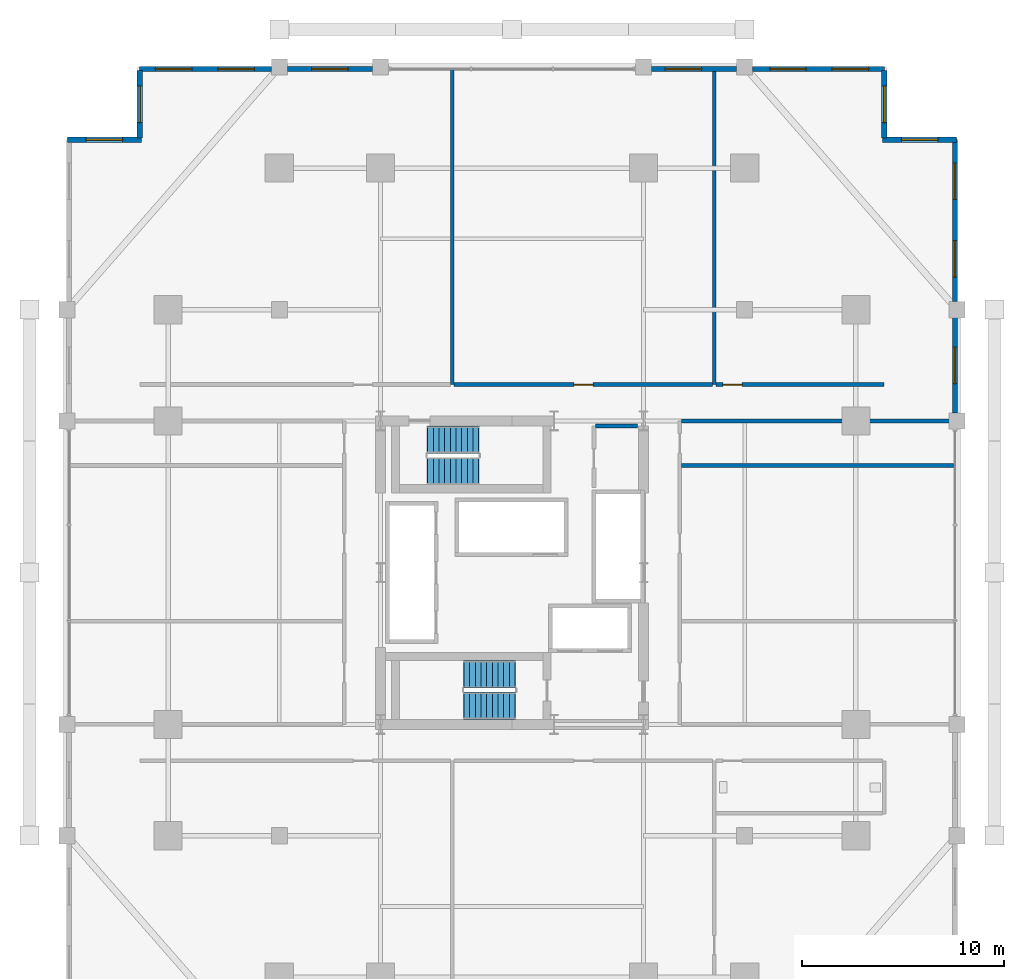
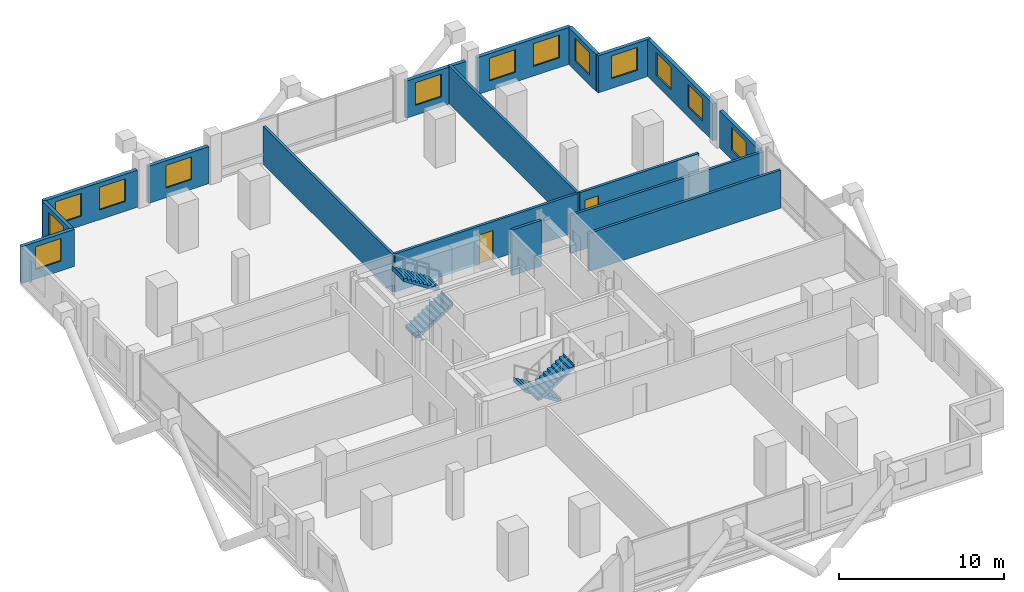
# One storey, part 19 of 21: 17 walls, 13 windows, 4 stair flights, 2 doors, 15 openings, 2 elements without a shape of their own.
"""IFC4 building model written with IfcOpenShell, lengths in metres."""

from ifc_helpers import new_model, si_unit, direction, frame, frame_2d, origin, place, context, subcontext, project, spatial, polyline, rectangle, outline, extrude, material, layer, layer_set, type_object, element, fill, aggregate, save


model = new_model("IFC4")

# Units and contexts
model_context = context("Model", 3, precision=1e-05, world=origin(), true_north=direction((0.0, 1.0)))
body_context = subcontext(model_context, "Body", "Model", "MODEL_VIEW")
ifc_project = project(units=[si_unit("LENGTHUNIT", "METRE"), si_unit("AREAUNIT", "SQUARE_METRE"), si_unit("VOLUMEUNIT", "CUBIC_METRE"), si_unit("PLANEANGLEUNIT", "RADIAN"), si_unit("MASSUNIT", "GRAM", prefix="KILO")], contexts=[model_context])

# Site, building, storey
site_placement = place(None, origin())
site = spatial("IfcSite", under=ifc_project, at=site_placement, CompositionType="ELEMENT")
building_placement = place(site_placement, origin())
building = spatial("IfcBuilding", under=site, at=building_placement, Name="Barlavira Tower and Art Museum", CompositionType="ELEMENT")
storey_placement = place(building_placement, frame((0.0, 0.0, 79.199951171875)))
storey = spatial("IfcBuildingStorey", under=building, at=storey_placement, Name="L19", CompositionType="ELEMENT", Elevation=79.199951171875)

# Walls
ifc_material_1 = material(Name="Autoclaved aerated concrete masonry", Category="masonry")
ifc_layer_1 = layer(ifc_material_1, 0.199951171875, Name="Autoclaved aerated concrete masonry")
ifc_layer_set_1 = layer_set([ifc_layer_1], Name="Autoclaved aerated concrete masonry")
wall_type_1 = type_object("IfcWallType", Name="Fire Compartment and Shaft Wall 200", PredefinedType="SOLIDWALL", material=ifc_layer_set_1)
wall_1_placement = place(storey_placement, frame((4.1298828125, 7.25, 0.0), z_axis=(0.0, 0.0, 1.0), x_axis=(1.0, 0.0, 0.0)))
element("IfcWall", 1, at=wall_1_placement, inside=storey, type_object=wall_type_1, Name="L19 Partition Wall 19", PredefinedType="SOLIDWALL", context=body_context, shape_type="SweptSolid", body=[
    extrude(rectangle(XDim=2.070068359375, YDim=0.199951171875, at=frame_2d((1.03515625, 0.0))), origin(), (0.0, 0.0, 1.0), 3.380126953125),
])
ifc_material_2 = material(Name="Gypsum acoustic stud partition", Category="gypsum")
ifc_layer_2 = layer(ifc_material_2, 0.179931640625, Name="Gypsum acoustic stud partition")
ifc_layer_set_2 = layer_set([ifc_layer_2], Name="Gypsum acoustic stud partition")
wall_type_2 = type_object("IfcWallType", Name="Inter-Tenancy Party Partition Wall 180", PredefinedType="PARTITIONING", material=ifc_layer_set_2)
for number, where, z_axis, x_axis, name in (
    (2, (-2.949951171875, 9.300048828125, 0.0), (0.0, 0.0, 1.0), (0.0, 1.0, 0.0), "L19 Partition Wall 3"),
    (3, (10.0, 9.300048828125, 0.0), (0.0, 0.0, 1.0), (0.0, 1.0, 0.0), "L19 Partition Wall 7"),
):
    element("IfcWall", number, at=place(storey_placement, frame(where, z_axis=z_axis, x_axis=x_axis)), inside=storey, type_object=wall_type_2, Name=name, PredefinedType="PARTITIONING", context=body_context, shape_type="SweptSolid", body=[
        extrude(rectangle(XDim=15.599853515625, YDim=0.179931640625, at=frame_2d((7.7998046875, 0.0))), origin(), (0.0, 0.0, 1.0), 2.816162109375),
    ])
wall_2_placement = place(storey_placement, frame((8.3798828125, 5.300048828125, 0.0), z_axis=(0.0, 0.0, 1.0), x_axis=(1.0, 0.0, 0.0)))
element("IfcWall", 4, at=wall_2_placement, inside=storey, type_object=wall_type_2, Name="L19 Partition Wall 18", PredefinedType="PARTITIONING", context=body_context, shape_type="SweptSolid", body=[
    extrude(rectangle(XDim=13.440185546875, YDim=0.179931640625, at=frame_2d((6.72021484375, 0.0))), origin(), (0.0, 0.0, 1.0), 2.816162109375),
])
wall_3_placement = place(storey_placement, frame((8.3798828125, 7.5, 0.0), z_axis=(0.0, 0.0, 1.0), x_axis=(1.0, 0.0, 0.0)))
element("IfcWall", 5, at=wall_3_placement, inside=storey, type_object=wall_type_2, Name="L19 Partition Wall 21", PredefinedType="PARTITIONING", context=body_context, shape_type="SweptSolid", body=[
    extrude(rectangle(XDim=13.52001953125, YDim=0.179931640625, at=frame_2d((6.760009765625, 0.0))), origin(), (0.0, 0.0, 1.0), 2.816162109375),
])

# Wall, opening, door
wall_4_placement = place(storey_placement, frame((-2.8701171875, 9.300048828125, 0.0), z_axis=(0.0, 0.0, 1.0), x_axis=(1.0, 0.0, 0.0)))
wall_4 = element("IfcWall", 6, at=wall_4_placement, inside=storey, type_object=wall_type_2, Name="L19 Partition Wall 23", PredefinedType="PARTITIONING", context=body_context, shape_type="SweptSolid", body=[
    extrude(rectangle(XDim=12.7900390625, YDim=0.179931640625, at=frame_2d((6.39501953125, 0.0))), origin(), (0.0, 0.0, 1.0), 2.816162109375),
])
opening_1_placement = place(wall_4_placement, frame((5.925048828125, 0.0, 0.0)))
opening_1 = element("IfcOpeningElement", 7, at=opening_1_placement, cuts=wall_4, Name="Opening FD-60", PredefinedType="OPENING", context=body_context, shape_type="SweptSolid", body=[
    extrude(rectangle(XDim=0.949951171875, YDim=2.14990234375, at=frame_2d((0.47509765625, 1.074951171875))), frame((0.0, 0.10009765625, 0.0), z_axis=(0.0, -1.0, 0.0), x_axis=(1.0, 0.0, 0.0)), (0.0, 0.0, 1.0), 0.199951171875),
])
ifc_material_3 = material(Name="Brushed stainless steel", Category="steel")
door_type = type_object("IfcDoorType", Name="Apartment Entrance and Riser Fire Door 950x2150 FD60S", OperationType="NOTDEFINED", PredefinedType="DOOR", material=ifc_material_3)
door_1_placement = place(opening_1_placement, origin())
door_1 = element("IfcDoor", 8, at=door_1_placement, inside=storey, type_object=door_type, Name="Private Coastal Dining Salon Door", OperationType="SINGLE_SWING_RIGHT", OverallHeight=2.14990234375, OverallWidth=0.949951171875, PredefinedType="DOOR", context=body_context, shape_type="SweptSolid", body=[
    extrude(rectangle(XDim=0.949951171875, YDim=2.14990234375, at=frame_2d((0.47509765625, 1.074951171875))), frame((0.0, 0.02490234375, 0.0), z_axis=(0.0, -1.0, 0.0), x_axis=(1.0, 0.0, 0.0)), (0.0, 0.0, 1.0), 0.050048828125),
])
fill(opening_1, door_1)

wall_5_placement = place(storey_placement, frame((10.080078125, 9.300048828125, 0.0), z_axis=(0.0, 0.0, 1.0), x_axis=(1.0, 0.0, 0.0)))
wall_5 = element("IfcWall", 9, at=wall_5_placement, inside=storey, type_object=wall_type_2, Name="L19 Partition Wall 24", PredefinedType="PARTITIONING", context=body_context, shape_type="SweptSolid", body=[
    extrude(rectangle(XDim=8.31982421875, YDim=0.179931640625, at=frame_2d((4.159912109375, 0.0))), origin(), (0.0, 0.0, 1.0), 2.816162109375),
])
opening_2_placement = place(wall_5_placement, frame((0.344970703125, 0.0, 0.0)))
opening_2 = element("IfcOpeningElement", 10, at=opening_2_placement, cuts=wall_5, Name="Opening FD-60", PredefinedType="OPENING", context=body_context, shape_type="SweptSolid", body=[
    extrude(rectangle(XDim=0.949951171875, YDim=2.14990234375, at=frame_2d((0.47509765625, 1.074951171875))), frame((0.0, 0.10009765625, 0.0), z_axis=(0.0, -1.0, 0.0), x_axis=(1.0, 0.0, 0.0)), (0.0, 0.0, 1.0), 0.199951171875),
])
door_2_placement = place(opening_2_placement, origin())
door_2 = element("IfcDoor", 11, at=door_2_placement, inside=storey, type_object=door_type, Name="Shared Catering Kitchen Door", OperationType="SINGLE_SWING_LEFT", OverallHeight=2.14990234375, OverallWidth=0.949951171875, PredefinedType="DOOR", context=body_context, shape_type="SweptSolid", body=[
    extrude(rectangle(XDim=0.949951171875, YDim=2.14990234375, at=frame_2d((0.47509765625, 1.074951171875))), frame((0.0, 0.02490234375, 0.0), z_axis=(0.0, -1.0, 0.0), x_axis=(1.0, 0.0, 0.0)), (0.0, 0.0, 1.0), 0.050048828125),
])
fill(opening_2, door_2)

# Wall, openings, windows
ifc_material_4 = material(Name="Precast concrete C40", Category="concrete")
ifc_layer_3 = layer(ifc_material_4, 0.25, Name="Precast concrete C40")
ifc_layer_set_3 = layer_set([ifc_layer_3], Name="Precast concrete C40")
wall_type_3 = type_object("IfcWallType", Name="Notched Corner Spandrel Wall 250 Precast Concrete C40", PredefinedType="SOLIDWALL", material=ifc_layer_set_3)
wall_6_placement = place(storey_placement, frame((18.425048828125, 24.89990234375, 0.0), z_axis=(0.0, 0.0, 1.0), x_axis=(-1.0, 0.0, 0.0)))
wall_6 = element("IfcWall", 12, at=wall_6_placement, inside=storey, type_object=wall_type_3, Name="L19 Coastal Facade Pier Wall CW1-L19-N-1", PredefinedType="SOLIDWALL", context=body_context, shape_type="SweptSolid", body=[
    extrude(rectangle(XDim=6.530029296875, YDim=0.25, at=frame_2d((3.26513671875, 0.0))), origin(), (0.0, 0.0, 1.0), 2.736083984375),
])
opening_3_placement = place(wall_6_placement, frame((0.801025390625, 0.0, 0.719970703125)))
opening_3 = element("IfcOpeningElement", 13, at=opening_3_placement, cuts=wall_6, Name="Opening WN-01", PredefinedType="OPENING", context=body_context, shape_type="SweptSolid", body=[
    extrude(rectangle(XDim=1.800048828125, YDim=1.679931640625, at=frame_2d((0.89990234375, 0.83984375))), frame((0.0, 0.135009765625, 0.0), z_axis=(0.0, -1.0, 0.0), x_axis=(1.0, 0.0, 0.0)), (0.0, 0.0, 1.0), 0.27001953125),
])
opening_4_placement = place(wall_6_placement, frame((3.884033203125, 0.0, 0.719970703125)))
opening_4 = element("IfcOpeningElement", 14, at=opening_4_placement, cuts=wall_6, Name="Opening WN-01", PredefinedType="OPENING", context=body_context, shape_type="SweptSolid", body=[
    extrude(rectangle(XDim=1.800048828125, YDim=1.679931640625, at=frame_2d((0.89990234375, 0.83984375))), frame((0.0, 0.135009765625, 0.0), z_axis=(0.0, -1.0, 0.0), x_axis=(1.0, 0.0, 0.0)), (0.0, 0.0, 1.0), 0.27001953125),
])
ifc_material_5 = material(Name="Low-iron coastal laminated glass", Category="glass")
window_type = type_object("IfcWindowType", Name="Recessed Notch Corner Punch Window 1800x1680", PartitioningType="SINGLE_PANEL", PredefinedType="WINDOW", material=ifc_material_5)
window_1_placement = place(opening_3_placement, origin())
window_1 = element("IfcWindow", 15, at=window_1_placement, inside=storey, type_object=window_type, Name="L19 Punched Facade Window EWP-CW1-L19-N-1-1", OverallHeight=1.679931640625, OverallWidth=1.800048828125, PartitioningType="SINGLE_PANEL", PredefinedType="WINDOW", context=body_context, shape_type="SweptSolid", body=[
    extrude(rectangle(XDim=1.800048828125, YDim=1.679931640625, at=frame_2d((0.89990234375, 0.83984375))), frame((0.0, 0.030029296875, 0.0), z_axis=(0.0, -1.0, 0.0), x_axis=(1.0, 0.0, 0.0)), (0.0, 0.0, 1.0), 0.06005859375),
])
fill(opening_3, window_1)
window_2_placement = place(opening_4_placement, origin())
window_2 = element("IfcWindow", 16, at=window_2_placement, inside=storey, type_object=window_type, Name="L19 Punched Facade Window EWP-CW1-L19-N-1-2", OverallHeight=1.679931640625, OverallWidth=1.800048828125, PartitioningType="SINGLE_PANEL", PredefinedType="WINDOW", context=body_context, shape_type="SweptSolid", body=[
    extrude(rectangle(XDim=1.800048828125, YDim=1.679931640625, at=frame_2d((0.89990234375, 0.83984375))), frame((0.0, 0.030029296875, 0.0), z_axis=(0.0, -1.0, 0.0), x_axis=(1.0, 0.0, 0.0)), (0.0, 0.0, 1.0), 0.06005859375),
])
fill(opening_4, window_2)

# Wall, opening, window
wall_7_placement = place(storey_placement, frame((11.10498046875, 24.89990234375, 0.0), z_axis=(0.0, 0.0, 1.0), x_axis=(-1.0, 0.0, 0.0)))
wall_7 = element("IfcWall", 17, at=wall_7_placement, inside=storey, type_object=wall_type_3, Name="L19 Coastal Facade Pier Wall CW1-L19-N-2", PredefinedType="SOLIDWALL", context=body_context, shape_type="SweptSolid", body=[
    extrude(rectangle(XDim=4.2099609375, YDim=0.25, at=frame_2d((2.10498046875, 0.0))), origin(), (0.0, 0.0, 1.0), 2.736083984375),
])
opening_5_placement = place(wall_7_placement, frame((1.735107421875, 0.0, 0.719970703125)))
opening_5 = element("IfcOpeningElement", 18, at=opening_5_placement, cuts=wall_7, Name="Opening WN-01", PredefinedType="OPENING", context=body_context, shape_type="SweptSolid", body=[
    extrude(rectangle(XDim=1.800048828125, YDim=1.679931640625, at=frame_2d((0.89990234375, 0.83984375))), frame((0.0, 0.135009765625, 0.0), z_axis=(0.0, -1.0, 0.0), x_axis=(1.0, 0.0, 0.0)), (0.0, 0.0, 1.0), 0.27001953125),
])
window_3_placement = place(opening_5_placement, origin())
window_3 = element("IfcWindow", 19, at=window_3_placement, inside=storey, type_object=window_type, Name="L19 Punched Facade Window EWP-CW1-L19-N-2-1", OverallHeight=1.679931640625, OverallWidth=1.800048828125, PartitioningType="SINGLE_PANEL", PredefinedType="WINDOW", context=body_context, shape_type="SweptSolid", body=[
    extrude(rectangle(XDim=1.800048828125, YDim=1.679931640625, at=frame_2d((0.89990234375, 0.83984375))), frame((0.0, 0.030029296875, 0.0), z_axis=(0.0, -1.0, 0.0), x_axis=(1.0, 0.0, 0.0)), (0.0, 0.0, 1.0), 0.06005859375),
])
fill(opening_5, window_3)

wall_8_placement = place(storey_placement, frame((-6.89501953125, 24.89990234375, 0.0), z_axis=(0.0, 0.0, 1.0), x_axis=(-1.0, 0.0, 0.0)))
wall_8 = element("IfcWall", 20, at=wall_8_placement, inside=storey, type_object=wall_type_3, Name="L19 Coastal Facade Pier Wall CW1-L19-N-4", PredefinedType="SOLIDWALL", context=body_context, shape_type="SweptSolid", body=[
    extrude(rectangle(XDim=4.2099609375, YDim=0.25, at=frame_2d((2.10498046875, 0.0))), origin(), (0.0, 0.0, 1.0), 2.736083984375),
])
opening_6_placement = place(wall_8_placement, frame((1.205078125, 0.0, 0.719970703125)))
opening_6 = element("IfcOpeningElement", 21, at=opening_6_placement, cuts=wall_8, Name="Opening WN-01", PredefinedType="OPENING", context=body_context, shape_type="SweptSolid", body=[
    extrude(rectangle(XDim=1.800048828125, YDim=1.679931640625, at=frame_2d((0.89990234375, 0.83984375))), frame((0.0, 0.135009765625, 0.0), z_axis=(0.0, -1.0, 0.0), x_axis=(1.0, 0.0, 0.0)), (0.0, 0.0, 1.0), 0.27001953125),
])
window_4_placement = place(opening_6_placement, origin())
window_4 = element("IfcWindow", 22, at=window_4_placement, inside=storey, type_object=window_type, Name="L19 Punched Facade Window EWP-CW1-L19-N-4-1", OverallHeight=1.679931640625, OverallWidth=1.800048828125, PartitioningType="SINGLE_PANEL", PredefinedType="WINDOW", context=body_context, shape_type="SweptSolid", body=[
    extrude(rectangle(XDim=1.800048828125, YDim=1.679931640625, at=frame_2d((0.89990234375, 0.83984375))), frame((0.0, 0.030029296875, 0.0), z_axis=(0.0, -1.0, 0.0), x_axis=(1.0, 0.0, 0.0)), (0.0, 0.0, 1.0), 0.06005859375),
])
fill(opening_6, window_4)

# Wall, openings, windows
wall_9_placement = place(storey_placement, frame((-11.89501953125, 24.89990234375, 0.0), z_axis=(0.0, 0.0, 1.0), x_axis=(-1.0, 0.0, 0.0)))
wall_9 = element("IfcWall", 23, at=wall_9_placement, inside=storey, type_object=wall_type_3, Name="L19 Coastal Facade Pier Wall CW1-L19-N-5", PredefinedType="SOLIDWALL", context=body_context, shape_type="SweptSolid", body=[
    extrude(rectangle(XDim=6.530029296875, YDim=0.25, at=frame_2d((3.26513671875, 0.0))), origin(), (0.0, 0.0, 1.0), 2.736083984375),
])
opening_7_placement = place(wall_9_placement, frame((0.845947265625, 0.0, 0.719970703125)))
opening_7 = element("IfcOpeningElement", 24, at=opening_7_placement, cuts=wall_9, Name="Opening WN-01", PredefinedType="OPENING", context=body_context, shape_type="SweptSolid", body=[
    extrude(rectangle(XDim=1.800048828125, YDim=1.679931640625, at=frame_2d((0.89990234375, 0.83984375))), frame((0.0, 0.135009765625, 0.0), z_axis=(0.0, -1.0, 0.0), x_axis=(1.0, 0.0, 0.0)), (0.0, 0.0, 1.0), 0.27001953125),
])
opening_8_placement = place(wall_9_placement, frame((3.928955078125, 0.0, 0.719970703125)))
opening_8 = element("IfcOpeningElement", 25, at=opening_8_placement, cuts=wall_9, Name="Opening WN-01", PredefinedType="OPENING", context=body_context, shape_type="SweptSolid", body=[
    extrude(rectangle(XDim=1.800048828125, YDim=1.679931640625, at=frame_2d((0.89990234375, 0.83984375))), frame((0.0, 0.135009765625, 0.0), z_axis=(0.0, -1.0, 0.0), x_axis=(1.0, 0.0, 0.0)), (0.0, 0.0, 1.0), 0.27001953125),
])
window_5_placement = place(opening_7_placement, origin())
window_5 = element("IfcWindow", 26, at=window_5_placement, inside=storey, type_object=window_type, Name="L19 Punched Facade Window EWP-CW1-L19-N-5-1", OverallHeight=1.679931640625, OverallWidth=1.800048828125, PartitioningType="SINGLE_PANEL", PredefinedType="WINDOW", context=body_context, shape_type="SweptSolid", body=[
    extrude(rectangle(XDim=1.800048828125, YDim=1.679931640625, at=frame_2d((0.89990234375, 0.83984375))), frame((0.0, 0.030029296875, 0.0), z_axis=(0.0, -1.0, 0.0), x_axis=(1.0, 0.0, 0.0)), (0.0, 0.0, 1.0), 0.06005859375),
])
fill(opening_7, window_5)
window_6_placement = place(opening_8_placement, origin())
window_6 = element("IfcWindow", 27, at=window_6_placement, inside=storey, type_object=window_type, Name="L19 Punched Facade Window EWP-CW1-L19-N-5-2", OverallHeight=1.679931640625, OverallWidth=1.800048828125, PartitioningType="SINGLE_PANEL", PredefinedType="WINDOW", context=body_context, shape_type="SweptSolid", body=[
    extrude(rectangle(XDim=1.800048828125, YDim=1.679931640625, at=frame_2d((0.89990234375, 0.83984375))), frame((0.0, 0.030029296875, 0.0), z_axis=(0.0, -1.0, 0.0), x_axis=(1.0, 0.0, 0.0)), (0.0, 0.0, 1.0), 0.06005859375),
])
fill(opening_8, window_6)

# Wall, opening, window
wall_10_placement = place(storey_placement, frame((21.89990234375, 7.89501953125, 0.0), z_axis=(0.0, 0.0, 1.0), x_axis=(0.0, 1.0, 0.0)))
wall_10 = element("IfcWall", 28, at=wall_10_placement, inside=storey, type_object=wall_type_3, Name="L19 Coastal Facade Pier Wall CW1-L19-E-4", PredefinedType="SOLIDWALL", context=body_context, shape_type="SweptSolid", body=[
    extrude(rectangle(XDim=4.7099609375, YDim=0.25, at=frame_2d((2.35498046875, 0.0))), origin(), (0.0, 0.0, 1.0), 2.736083984375),
])
opening_9_placement = place(wall_10_placement, frame((1.455078125, 0.0, 0.719970703125)))
opening_9 = element("IfcOpeningElement", 29, at=opening_9_placement, cuts=wall_10, Name="Opening WN-01", PredefinedType="OPENING", context=body_context, shape_type="SweptSolid", body=[
    extrude(rectangle(XDim=1.800048828125, YDim=1.679931640625, at=frame_2d((0.89990234375, 0.83984375))), frame((0.0, 0.135009765625, 0.0), z_axis=(0.0, -1.0, 0.0), x_axis=(1.0, 0.0, 0.0)), (0.0, 0.0, 1.0), 0.27001953125),
])
window_7_placement = place(opening_9_placement, origin())
window_7 = element("IfcWindow", 30, at=window_7_placement, inside=storey, type_object=window_type, Name="L19 Punched Facade Window EWP-CW1-L19-E-4-1", OverallHeight=1.679931640625, OverallWidth=1.800048828125, PartitioningType="SINGLE_PANEL", PredefinedType="WINDOW", context=body_context, shape_type="SweptSolid", body=[
    extrude(rectangle(XDim=1.800048828125, YDim=1.679931640625, at=frame_2d((0.89990234375, 0.83984375))), frame((0.0, 0.030029296875, 0.0), z_axis=(0.0, -1.0, 0.0), x_axis=(1.0, 0.0, 0.0)), (0.0, 0.0, 1.0), 0.06005859375),
])
fill(opening_9, window_7)

# Wall, openings, windows
wall_11_placement = place(storey_placement, frame((21.89990234375, 13.39501953125, 0.0), z_axis=(0.0, 0.0, 1.0), x_axis=(0.0, 1.0, 0.0)))
wall_11 = element("IfcWall", 31, at=wall_11_placement, inside=storey, type_object=wall_type_3, Name="L19 Coastal Facade Pier Wall CW1-L19-E-5", PredefinedType="SOLIDWALL", context=body_context, shape_type="SweptSolid", body=[
    extrude(rectangle(XDim=8.030029296875, YDim=0.25, at=frame_2d((4.01513671875, 0.0))), origin(), (0.0, 0.0, 1.0), 2.736083984375),
])
opening_10_placement = place(wall_11_placement, frame((1.220947265625, 0.0, 0.719970703125)))
opening_10 = element("IfcOpeningElement", 32, at=opening_10_placement, cuts=wall_11, Name="Opening WN-01", PredefinedType="OPENING", context=body_context, shape_type="SweptSolid", body=[
    extrude(rectangle(XDim=1.800048828125, YDim=1.679931640625, at=frame_2d((0.89990234375, 0.83984375))), frame((0.0, 0.135009765625, 0.0), z_axis=(0.0, -1.0, 0.0), x_axis=(1.0, 0.0, 0.0)), (0.0, 0.0, 1.0), 0.27001953125),
])
opening_11_placement = place(wall_11_placement, frame((5.053955078125, 0.0, 0.719970703125)))
opening_11 = element("IfcOpeningElement", 33, at=opening_11_placement, cuts=wall_11, Name="Opening WN-01", PredefinedType="OPENING", context=body_context, shape_type="SweptSolid", body=[
    extrude(rectangle(XDim=1.800048828125, YDim=1.679931640625, at=frame_2d((0.89990234375, 0.83984375))), frame((0.0, 0.135009765625, 0.0), z_axis=(0.0, -1.0, 0.0), x_axis=(1.0, 0.0, 0.0)), (0.0, 0.0, 1.0), 0.27001953125),
])
window_8_placement = place(opening_10_placement, origin())
window_8 = element("IfcWindow", 34, at=window_8_placement, inside=storey, type_object=window_type, Name="L19 Punched Facade Window EWP-CW1-L19-E-5-1", OverallHeight=1.679931640625, OverallWidth=1.800048828125, PartitioningType="SINGLE_PANEL", PredefinedType="WINDOW", context=body_context, shape_type="SweptSolid", body=[
    extrude(rectangle(XDim=1.800048828125, YDim=1.679931640625, at=frame_2d((0.89990234375, 0.83984375))), frame((0.0, 0.030029296875, 0.0), z_axis=(0.0, -1.0, 0.0), x_axis=(1.0, 0.0, 0.0)), (0.0, 0.0, 1.0), 0.06005859375),
])
fill(opening_10, window_8)
window_9_placement = place(opening_11_placement, origin())
window_9 = element("IfcWindow", 35, at=window_9_placement, inside=storey, type_object=window_type, Name="L19 Punched Facade Window EWP-CW1-L19-E-5-2", OverallHeight=1.679931640625, OverallWidth=1.800048828125, PartitioningType="SINGLE_PANEL", PredefinedType="WINDOW", context=body_context, shape_type="SweptSolid", body=[
    extrude(rectangle(XDim=1.800048828125, YDim=1.679931640625, at=frame_2d((0.89990234375, 0.83984375))), frame((0.0, 0.030029296875, 0.0), z_axis=(0.0, -1.0, 0.0), x_axis=(1.0, 0.0, 0.0)), (0.0, 0.0, 1.0), 0.06005859375),
])
fill(opening_11, window_9)

# Wall, opening, window
wall_12_placement = place(storey_placement, frame((21.97998046875, 21.39990234375, 0.0), z_axis=(0.0, 0.0, 1.0), x_axis=(-1.0, 0.0, 0.0)))
wall_12 = element("IfcWall", 36, at=wall_12_placement, inside=storey, type_object=wall_type_3, Name="L19 Notch Corner Wall NE1", PredefinedType="SOLIDWALL", context=body_context, shape_type="SweptSolid", body=[
    extrude(rectangle(XDim=3.659912109375, YDim=0.25, at=frame_2d((1.830078125, 0.0))), origin(), (0.0, 0.0, 1.0), 2.736083984375),
])
opening_12_placement = place(wall_12_placement, frame((0.929931640625, 0.0, 0.719970703125)))
opening_12 = element("IfcOpeningElement", 37, at=opening_12_placement, cuts=wall_12, Name="Opening WN-01", PredefinedType="OPENING", context=body_context, shape_type="SweptSolid", body=[
    extrude(rectangle(XDim=1.800048828125, YDim=1.679931640625, at=frame_2d((0.89990234375, 0.83984375))), frame((0.0, 0.135009765625, 0.0), z_axis=(0.0, -1.0, 0.0), x_axis=(1.0, 0.0, 0.0)), (0.0, 0.0, 1.0), 0.27001953125),
])
window_10_placement = place(opening_12_placement, origin())
window_10 = element("IfcWindow", 38, at=window_10_placement, inside=storey, type_object=window_type, Name="L19 Punched Facade Window EW-NTC-L19-NE1-1", OverallHeight=1.679931640625, OverallWidth=1.800048828125, PartitioningType="SINGLE_PANEL", PredefinedType="WINDOW", context=body_context, shape_type="SweptSolid", body=[
    extrude(rectangle(XDim=1.800048828125, YDim=1.679931640625, at=frame_2d((0.89990234375, 0.83984375))), frame((0.0, 0.030029296875, 0.0), z_axis=(0.0, -1.0, 0.0), x_axis=(1.0, 0.0, 0.0)), (0.0, 0.0, 1.0), 0.06005859375),
])
fill(opening_12, window_10)

wall_13_placement = place(storey_placement, frame((18.39990234375, 21.47998046875, 0.0), z_axis=(0.0, 0.0, 1.0), x_axis=(0.0, 1.0, 0.0)))
wall_13 = element("IfcWall", 39, at=wall_13_placement, inside=storey, type_object=wall_type_3, Name="L19 Notch Corner Wall NE2", PredefinedType="SOLIDWALL", context=body_context, shape_type="SweptSolid", body=[
    extrude(rectangle(XDim=3.340087890625, YDim=0.25, at=frame_2d((1.669921875, 0.0))), origin(), (0.0, 0.0, 1.0), 2.736083984375),
])
opening_13_placement = place(wall_13_placement, frame((0.77001953125, 0.0, 0.719970703125)))
opening_13 = element("IfcOpeningElement", 40, at=opening_13_placement, cuts=wall_13, Name="Opening WN-01", PredefinedType="OPENING", context=body_context, shape_type="SweptSolid", body=[
    extrude(rectangle(XDim=1.800048828125, YDim=1.679931640625, at=frame_2d((0.89990234375, 0.83984375))), frame((0.0, 0.135009765625, 0.0), z_axis=(0.0, -1.0, 0.0), x_axis=(1.0, 0.0, 0.0)), (0.0, 0.0, 1.0), 0.27001953125),
])
window_11_placement = place(opening_13_placement, origin())
window_11 = element("IfcWindow", 41, at=window_11_placement, inside=storey, type_object=window_type, Name="L19 Punched Facade Window EW-NTC-L19-NE2-1", OverallHeight=1.679931640625, OverallWidth=1.800048828125, PartitioningType="SINGLE_PANEL", PredefinedType="WINDOW", context=body_context, shape_type="SweptSolid", body=[
    extrude(rectangle(XDim=1.800048828125, YDim=1.679931640625, at=frame_2d((0.89990234375, 0.83984375))), frame((0.0, 0.030029296875, 0.0), z_axis=(0.0, -1.0, 0.0), x_axis=(1.0, 0.0, 0.0)), (0.0, 0.0, 1.0), 0.06005859375),
])
fill(opening_13, window_11)

wall_14_placement = place(storey_placement, frame((-18.39990234375, 24.820068359375, 0.0), z_axis=(0.0, 0.0, 1.0), x_axis=(0.0, -1.0, 0.0)))
wall_14 = element("IfcWall", 42, at=wall_14_placement, inside=storey, type_object=wall_type_3, Name="L19 Notch Corner Wall NW1", PredefinedType="SOLIDWALL", context=body_context, shape_type="SweptSolid", body=[
    extrude(rectangle(XDim=3.340087890625, YDim=0.25, at=frame_2d((1.669921875, 0.0))), origin(), (0.0, 0.0, 1.0), 2.736083984375),
])
opening_14_placement = place(wall_14_placement, frame((0.77001953125, 0.0, 0.719970703125)))
opening_14 = element("IfcOpeningElement", 43, at=opening_14_placement, cuts=wall_14, Name="Opening WN-01", PredefinedType="OPENING", context=body_context, shape_type="SweptSolid", body=[
    extrude(rectangle(XDim=1.800048828125, YDim=1.679931640625, at=frame_2d((0.89990234375, 0.83984375))), frame((0.0, 0.135009765625, 0.0), z_axis=(0.0, -1.0, 0.0), x_axis=(1.0, 0.0, 0.0)), (0.0, 0.0, 1.0), 0.27001953125),
])
window_12_placement = place(opening_14_placement, origin())
window_12 = element("IfcWindow", 44, at=window_12_placement, inside=storey, type_object=window_type, Name="L19 Punched Facade Window EW-NTC-L19-NW1-1", OverallHeight=1.679931640625, OverallWidth=1.800048828125, PartitioningType="SINGLE_PANEL", PredefinedType="WINDOW", context=body_context, shape_type="SweptSolid", body=[
    extrude(rectangle(XDim=1.800048828125, YDim=1.679931640625, at=frame_2d((0.89990234375, 0.83984375))), frame((0.0, 0.030029296875, 0.0), z_axis=(0.0, -1.0, 0.0), x_axis=(1.0, 0.0, 0.0)), (0.0, 0.0, 1.0), 0.06005859375),
])
fill(opening_14, window_12)

wall_15_placement = place(storey_placement, frame((-18.320068359375, 21.39990234375, 0.0), z_axis=(0.0, 0.0, 1.0), x_axis=(-1.0, 0.0, 0.0)))
wall_15 = element("IfcWall", 45, at=wall_15_placement, inside=storey, type_object=wall_type_3, Name="L19 Notch Corner Wall NW2", PredefinedType="SOLIDWALL", context=body_context, shape_type="SweptSolid", body=[
    extrude(rectangle(XDim=3.659912109375, YDim=0.25, at=frame_2d((1.830078125, 0.0))), origin(), (0.0, 0.0, 1.0), 2.736083984375),
])
opening_15_placement = place(wall_15_placement, frame((0.929931640625, 0.0, 0.719970703125)))
opening_15 = element("IfcOpeningElement", 46, at=opening_15_placement, cuts=wall_15, Name="Opening WN-01", PredefinedType="OPENING", context=body_context, shape_type="SweptSolid", body=[
    extrude(rectangle(XDim=1.800048828125, YDim=1.679931640625, at=frame_2d((0.89990234375, 0.83984375))), frame((0.0, 0.135009765625, 0.0), z_axis=(0.0, -1.0, 0.0), x_axis=(1.0, 0.0, 0.0)), (0.0, 0.0, 1.0), 0.27001953125),
])
window_13_placement = place(opening_15_placement, origin())
window_13 = element("IfcWindow", 47, at=window_13_placement, inside=storey, type_object=window_type, Name="L19 Punched Facade Window EW-NTC-L19-NW2-1", OverallHeight=1.679931640625, OverallWidth=1.800048828125, PartitioningType="SINGLE_PANEL", PredefinedType="WINDOW", context=body_context, shape_type="SweptSolid", body=[
    extrude(rectangle(XDim=1.800048828125, YDim=1.679931640625, at=frame_2d((0.89990234375, 0.83984375))), frame((0.0, 0.030029296875, 0.0), z_axis=(0.0, -1.0, 0.0), x_axis=(1.0, 0.0, 0.0)), (0.0, 0.0, 1.0), 0.06005859375),
])
fill(opening_15, window_13)

# Stair, stair flights
ifc_material_6 = material(Name="Concrete C45", Category="concrete")
stair_type_1 = type_object("IfcStairType", Name="Tower North Dog-Leg Exit Stair Assembly Concrete C45", PredefinedType="TWO_QUARTER_TURN_STAIR", material=ifc_material_6)
stair_1_placement = place(storey_placement, origin())
stair_1 = element("IfcStair", 48, at=stair_1_placement, inside=storey, type_object=stair_type_1, Name="L19 Tower North Exit Stair ST-T2", PredefinedType="TWO_QUARTER_TURN_STAIR")
ifc_material_7 = material(Name="Precast concrete C45", Category="concrete")
stair_flight_type_1 = type_object("IfcStairFlightType", Name="Tower North Dog-Leg Exit Stair Precast Flight 1350 Concrete C45", PredefinedType="STRAIGHT", material=ifc_material_7)
stair_flight_1_placement = place(storey_placement, frame((-4.169921875, 5.02490234375, 0.0), z_axis=(0.0, 0.0, 1.0), x_axis=(1.0, 0.0, 0.0)))
stair_flight_1 = element("IfcStairFlight", 49, at=stair_flight_1_placement, type_object=stair_flight_type_1, Name="ST-T2 flight 1", NumberOfRisers=10, NumberOfTreads=9, PredefinedType="STRAIGHT", RiserHeight=0.18, TreadLength=0.28, context=body_context, shape_type="SweptSolid", body=[
    extrude(outline(polyline([(-0.02490234375, 0.0), (0.0, 0.0), (0.0, 0.179931640625), (0.280029296875, 0.179931640625), (0.280029296875, 0.360107421875), (0.56005859375, 0.360107421875), (0.56005859375, 0.5400390625), (0.840087890625, 0.5400390625), (0.840087890625, 0.719970703125), (1.1201171875, 0.719970703125), (1.1201171875, 0.89990234375), (1.39990234375, 0.89990234375), (1.39990234375, 1.080078125), (1.679931640625, 1.080078125), (1.679931640625, 1.260009765625), (1.9599609375, 1.260009765625), (1.9599609375, 1.43994140625), (2.239990234375, 1.43994140625), (2.239990234375, 1.6201171875), (2.52001953125, 1.6201171875), (2.52001953125, 1.800048828125), (2.544921875, 1.800048828125), (2.544921875, 1.44189453125), (2.52001953125, 1.44189453125), (0.277099609375, -0.02490234375), (-0.02490234375, -0.02490234375), (-0.02490234375, 0.0)])), frame((0.0, 0.675048828125, 0.0), z_axis=(0.0, -1.0, 0.0), x_axis=(1.0, 0.0, 0.0)), (0.0, 0.0, 1.0), 1.35009765625),
])
stair_flight_2_placement = place(storey_placement, frame((-1.64990234375, 6.574951171875, 1.800048828125), z_axis=(0.0, 0.0, 1.0), x_axis=(-1.0, 0.0, 0.0)))
stair_flight_2 = element("IfcStairFlight", 50, at=stair_flight_2_placement, type_object=stair_flight_type_1, Name="ST-T2 flight 2", NumberOfRisers=10, NumberOfTreads=9, PredefinedType="STRAIGHT", RiserHeight=0.18, TreadLength=0.28, context=body_context, shape_type="SweptSolid", body=[
    extrude(outline(polyline([(-0.02490234375, 0.0), (0.0, 0.0), (0.0, 0.179931640625), (0.280029296875, 0.179931640625), (0.280029296875, 0.360107421875), (0.56005859375, 0.360107421875), (0.56005859375, 0.5400390625), (0.840087890625, 0.5400390625), (0.840087890625, 0.719970703125), (1.1201171875, 0.719970703125), (1.1201171875, 0.89990234375), (1.39990234375, 0.89990234375), (1.39990234375, 1.080078125), (1.679931640625, 1.080078125), (1.679931640625, 1.260009765625), (1.9599609375, 1.260009765625), (1.9599609375, 1.43994140625), (2.239990234375, 1.43994140625), (2.239990234375, 1.6201171875), (2.52001953125, 1.6201171875), (2.52001953125, 1.800048828125), (2.544921875, 1.800048828125), (2.544921875, 1.44189453125), (2.52001953125, 1.44189453125), (0.277099609375, -0.02490234375), (-0.02490234375, -0.02490234375), (-0.02490234375, 0.0)])), frame((0.0, 0.675048828125, 0.0), z_axis=(0.0, -1.0, 0.0), x_axis=(1.0, 0.0, 0.0)), (0.0, 0.0, 1.0), 1.35009765625),
])
aggregate(stair_1, [stair_flight_1, stair_flight_2])

stair_type_2 = type_object("IfcStairType", Name="Tower South Dog-Leg Exit Stair Assembly Concrete C45", PredefinedType="TWO_QUARTER_TURN_STAIR", material=ifc_material_6)
stair_2_placement = place(storey_placement, origin())
stair_2 = element("IfcStair", 51, at=stair_2_placement, inside=storey, type_object=stair_type_2, Name="L19 Tower South Exit Stair ST-T1", PredefinedType="TWO_QUARTER_TURN_STAIR")
stair_flight_type_2 = type_object("IfcStairFlightType", Name="Tower South Dog-Leg Exit Stair Precast Flight 1350 Concrete C45", PredefinedType="STRAIGHT", material=ifc_material_7)
stair_flight_3_placement = place(storey_placement, frame((0.14990234375, -5.02490234375, 0.0), z_axis=(0.0, 0.0, 1.0), x_axis=(-1.0, 0.0, 0.0)))
stair_flight_3 = element("IfcStairFlight", 52, at=stair_flight_3_placement, type_object=stair_flight_type_2, Name="ST-T1 flight 1", NumberOfRisers=10, NumberOfTreads=9, PredefinedType="STRAIGHT", RiserHeight=0.18, TreadLength=0.28, context=body_context, shape_type="SweptSolid", body=[
    extrude(outline(polyline([(-0.02490234375, 0.0), (0.0, 0.0), (0.0, 0.179931640625), (0.280029296875, 0.179931640625), (0.280029296875, 0.360107421875), (0.56005859375, 0.360107421875), (0.56005859375, 0.5400390625), (0.840087890625, 0.5400390625), (0.840087890625, 0.719970703125), (1.1201171875, 0.719970703125), (1.1201171875, 0.89990234375), (1.39990234375, 0.89990234375), (1.39990234375, 1.080078125), (1.679931640625, 1.080078125), (1.679931640625, 1.260009765625), (1.9599609375, 1.260009765625), (1.9599609375, 1.43994140625), (2.239990234375, 1.43994140625), (2.239990234375, 1.6201171875), (2.52001953125, 1.6201171875), (2.52001953125, 1.800048828125), (2.544921875, 1.800048828125), (2.544921875, 1.44189453125), (2.52001953125, 1.44189453125), (0.277099609375, -0.02490234375), (-0.02490234375, -0.02490234375), (-0.02490234375, 0.0)])), frame((0.0, 0.675048828125, 0.0), z_axis=(0.0, -1.0, 0.0), x_axis=(1.0, 0.0, 0.0)), (0.0, 0.0, 1.0), 1.35009765625),
])
stair_flight_4_placement = place(storey_placement, frame((-2.3701171875, -6.574951171875, 1.800048828125), z_axis=(0.0, 0.0, 1.0), x_axis=(1.0, 0.0, 0.0)))
stair_flight_4 = element("IfcStairFlight", 53, at=stair_flight_4_placement, type_object=stair_flight_type_2, Name="ST-T1 flight 2", NumberOfRisers=10, NumberOfTreads=9, PredefinedType="STRAIGHT", RiserHeight=0.18, TreadLength=0.28, context=body_context, shape_type="SweptSolid", body=[
    extrude(outline(polyline([(-0.02490234375, 0.0), (0.0, 0.0), (0.0, 0.179931640625), (0.280029296875, 0.179931640625), (0.280029296875, 0.360107421875), (0.56005859375, 0.360107421875), (0.56005859375, 0.5400390625), (0.840087890625, 0.5400390625), (0.840087890625, 0.719970703125), (1.1201171875, 0.719970703125), (1.1201171875, 0.89990234375), (1.39990234375, 0.89990234375), (1.39990234375, 1.080078125), (1.679931640625, 1.080078125), (1.679931640625, 1.260009765625), (1.9599609375, 1.260009765625), (1.9599609375, 1.43994140625), (2.239990234375, 1.43994140625), (2.239990234375, 1.6201171875), (2.52001953125, 1.6201171875), (2.52001953125, 1.800048828125), (2.544921875, 1.800048828125), (2.544921875, 1.44189453125), (2.52001953125, 1.44189453125), (0.277099609375, -0.02490234375), (-0.02490234375, -0.02490234375), (-0.02490234375, 0.0)])), frame((0.0, 0.675048828125, 0.0), z_axis=(0.0, -1.0, 0.0), x_axis=(1.0, 0.0, 0.0)), (0.0, 0.0, 1.0), 1.35009765625),
])
aggregate(stair_2, [stair_flight_3, stair_flight_4])

save(model, "model.ifc")
